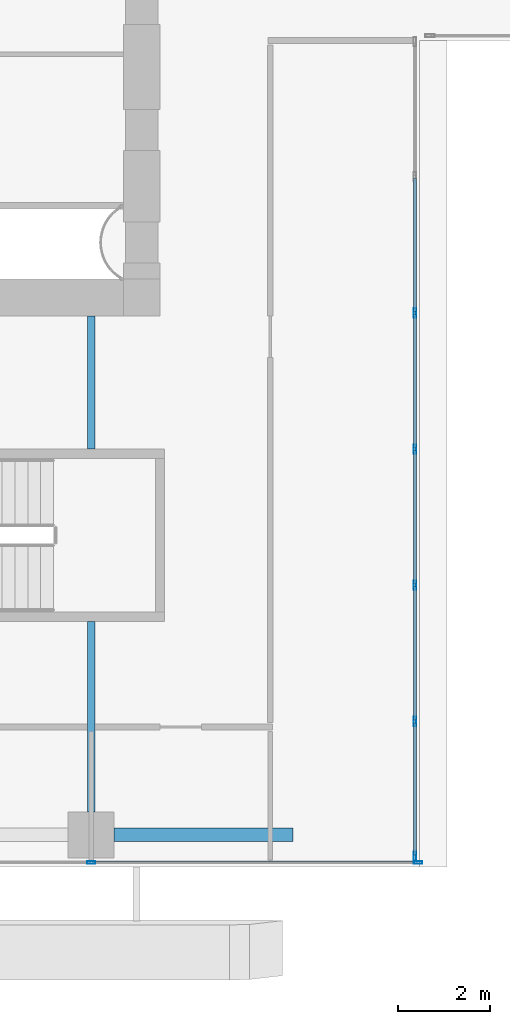
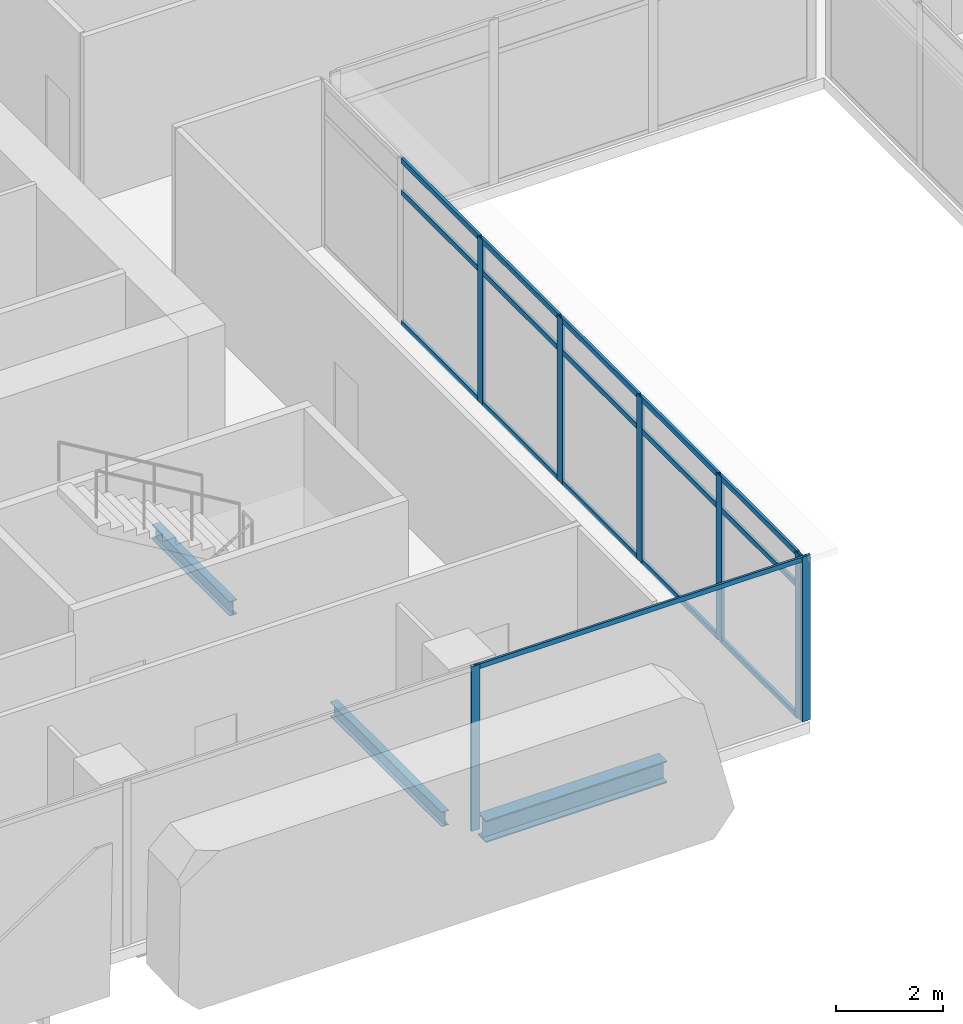
# One storey, part 5 of 38: 23 members, 3 beams, 2 elements without a shape of their own.
"""IFC4 building model written with IfcOpenShell, lengths in metres."""

from ifc_helpers import new_model, si_unit, direction, frame, origin, origin_2d, place, context, subcontext, project, spatial, hollow_rectangle, i_section, extrude, source, transform, mapped, material, material_profile, profile_set, type_object, element, aggregate, save


model = new_model("IFC4")

# Units and contexts
model_context = context("Model", 3, precision=1e-05, world=origin(), true_north=direction((0.0, 1.0)))
body_context = subcontext(model_context, "Body", "Model", "MODEL_VIEW")
ifc_project = project(units=[si_unit("LENGTHUNIT", "METRE"), si_unit("AREAUNIT", "SQUARE_METRE"), si_unit("VOLUMEUNIT", "CUBIC_METRE"), si_unit("PLANEANGLEUNIT", "RADIAN"), si_unit("MASSUNIT", "GRAM", prefix="KILO")], contexts=[model_context])

# Site, building, storey
site_placement = place(None, origin())
site = spatial("IfcSite", under=ifc_project, at=site_placement, CompositionType="ELEMENT")
building_placement = place(site_placement, origin())
building = spatial("IfcBuilding", under=site, at=building_placement, Name="Khomas Fold Tower", CompositionType="ELEMENT")
storey_placement = place(building_placement, frame((0.0, 0.0, 172.699951171875)))
storey = spatial("IfcBuildingStorey", under=building, at=storey_placement, Name="L37", CompositionType="ELEMENT", Elevation=172.699951171875)

# Beams
ifc_material_1 = material(Name="Steel S355", Category="steel")
ifc_material_profile_1 = material_profile(ifc_material_1, i_section(OverallWidth=0.300048828125, OverallDepth=0.5, WebThickness=0.014404296875, FlangeThickness=0.028076171875, at=origin_2d()), Name="HE 500 B")
ifc_profile_set_1 = profile_set([ifc_material_profile_1], Name="Steel S355")
beam_type_1 = type_object("IfcBeamType", Name="HE 500 B spandrel SB3", PredefinedType="SPANDREL", material=ifc_profile_set_1)
shared_shape_1 = source(origin(), body_context, "Body", "SweptSolid", [
    extrude(i_section(OverallWidth=0.300048828125, OverallDepth=0.5, WebThickness=0.014404296875, FlangeThickness=0.028076171875, at=origin_2d()), origin(), (0.0, 0.0, 1.0), 3.89990234375),
])
beam_1_placement = place(storey_placement, frame((20.0, 3.699951171875, -0.5), z_axis=(1.0, 0.0, 0.0), x_axis=(0.0, 1.0, 0.0)))
element("IfcBeam", 1, at=beam_1_placement, inside=storey, type_object=beam_type_1, Name="SB3", PredefinedType="SPANDREL", context=body_context, shape_type="MappedRepresentation", body=[
    mapped(shared_shape_1, transform((0.0, 0.0, 0.0))),
])
ifc_material_2 = material(Name="Steel S355", Category="steel")
ifc_material_profile_2 = material_profile(ifc_material_2, i_section(OverallWidth=0.159912109375, OverallDepth=0.330078125, WebThickness=0.007568359375, FlangeThickness=0.011474609375, at=origin_2d()), Name="IPE 330")
ifc_profile_set_2 = profile_set([ifc_material_profile_2], Name="Steel S355")
beam_type_2 = type_object("IfcBeamType", Name="IPE 330 beam JB1", PredefinedType="BEAM", material=ifc_profile_set_2)
shared_shape_2 = source(origin(), body_context, "Body", "SweptSolid", [
    extrude(i_section(OverallWidth=0.159912109375, OverallDepth=0.330078125, WebThickness=0.007568359375, FlangeThickness=0.011474609375, at=origin_2d()), origin(), (0.0, 0.0, 1.0), 4.150146484375),
])
beam_2_placement = place(storey_placement, frame((19.5, 4.199951171875, -0.4150390625), z_axis=(0.0, 1.0, 0.0), x_axis=(-1.0, 0.0, 0.0)))
element("IfcBeam", 2, at=beam_2_placement, inside=storey, type_object=beam_type_2, Name="JB1", PredefinedType="BEAM", context=body_context, shape_type="MappedRepresentation", body=[
    mapped(shared_shape_2, transform((0.0, 0.0, 0.0))),
])
shared_shape_3 = source(origin(), body_context, "Body", "SweptSolid", [
    extrude(i_section(OverallWidth=0.159912109375, OverallDepth=0.330078125, WebThickness=0.007568359375, FlangeThickness=0.011474609375, at=origin_2d()), origin(), (0.0, 0.0, 1.0), 2.89990234375),
])
beam_3_placement = place(storey_placement, frame((19.5, 12.10009765625, -0.4150390625), z_axis=(0.0, 1.0, 0.0), x_axis=(-1.0, 0.0, 0.0)))
element("IfcBeam", 3, at=beam_3_placement, inside=storey, type_object=beam_type_2, Name="JB1", PredefinedType="BEAM", context=body_context, shape_type="MappedRepresentation", body=[
    mapped(shared_shape_3, transform((0.0, 0.0, 0.0))),
])

# Curtain wall, members
ifc_material_3 = material(Name="Aluminium framed double glazing", Category="aluminium")
curtain_wall_type_1 = type_object("IfcCurtainWallType", Name="SK-Unitised clear-glass wall, office floors CW2", PredefinedType="NOTDEFINED", material=ifc_material_3)
curtain_wall_1_placement = place(storey_placement, origin())
curtain_wall_1 = element("IfcCurtainWall", 4, at=curtain_wall_1_placement, inside=storey, type_object=curtain_wall_type_1, Name="CW2 run L37 01-0", PredefinedType="NOTDEFINED")
ifc_material_4 = material(Name="Aluminium", Category="aluminium")
ifc_material_profile_3 = material_profile(ifc_material_4, hollow_rectangle(XDim=0.06005859375, YDim=0.179931640625, WallThickness=0.00390625, at=origin_2d()), Name="SK-Unitised clear-glass wall, office floors mullion CW2-M")
ifc_profile_set_3 = profile_set([ifc_material_profile_3], Name="Aluminium")
member_type_1 = type_object("IfcMemberType", Name="SK-Unitised clear-glass wall, office floors mullion CW2-M", PredefinedType="MULLION", material=ifc_profile_set_3)
shared_shape_4 = source(origin(), body_context, "Body", "SweptSolid", [
    extrude(hollow_rectangle(XDim=0.06005859375, YDim=0.179931640625, WallThickness=0.00390625, at=origin_2d()), origin(), (0.0, 0.0, 1.0), 3.75),
])
member_1_placement = place(storey_placement, frame((19.5, 3.10009765625, 0.0), z_axis=(0.0, 0.0, 1.0), x_axis=(0.0, 1.0, 0.0)))
member_1 = element("IfcMember", 5, at=member_1_placement, type_object=member_type_1, Name="CW2 mullion 4", PredefinedType="MULLION", context=body_context, shape_type="MappedRepresentation", body=[
    mapped(shared_shape_4, transform((0.0, 0.0, 0.0))),
])
member_2_placement = place(storey_placement, frame((26.6201171875, 3.10009765625, 0.0), z_axis=(0.0, 0.0, 1.0), x_axis=(0.0, 1.0, 0.0)))
member_2 = element("IfcMember", 6, at=member_2_placement, type_object=member_type_1, Name="CW2 mullion 5", PredefinedType="MULLION", context=body_context, shape_type="MappedRepresentation", body=[
    mapped(shared_shape_4, transform((0.0, 0.0, 0.0))),
])
ifc_material_5 = material(Name="Aluminium", Category="aluminium")
ifc_material_profile_4 = material_profile(ifc_material_5, hollow_rectangle(XDim=0.050048828125, YDim=0.110107421875, WallThickness=0.00390625, at=origin_2d()), Name="SK-Unitised clear-glass wall, office floors transom CW2-T")
ifc_profile_set_4 = profile_set([ifc_material_profile_4], Name="Aluminium")
member_type_2 = type_object("IfcMemberType", Name="SK-Unitised clear-glass wall, office floors transom CW2-T", PredefinedType="USERDEFINED", material=ifc_profile_set_4)
shared_shape_5 = source(origin(), body_context, "Body", "SweptSolid", [
    extrude(hollow_rectangle(XDim=0.050048828125, YDim=0.110107421875, WallThickness=0.00390625, at=origin_2d()), origin(), (0.0, 0.0, 1.0), 7.06005859375),
])
member_3_placement = place(storey_placement, frame((19.530029296875, 3.10009765625, 3.695068359375), z_axis=(1.0, 0.0, 0.0), x_axis=(0.0, 1.0, 0.0)))
member_3 = element("IfcMember", 7, at=member_3_placement, type_object=member_type_2, Name="CW2 transom 4", ObjectType="TRANSOM", PredefinedType="USERDEFINED", context=body_context, shape_type="MappedRepresentation", body=[
    mapped(shared_shape_5, transform((0.0, 0.0, 0.0))),
])
aggregate(curtain_wall_1, [member_1, member_2, member_3])

ifc_material_6 = material(Name="Aluminium framed double glazing", Category="aluminium")
curtain_wall_type_2 = type_object("IfcCurtainWallType", Name="Notch glazing GN-CW", PredefinedType="NOTDEFINED", material=ifc_material_6)
curtain_wall_2_placement = place(storey_placement, origin())
curtain_wall_2 = element("IfcCurtainWall", 8, at=curtain_wall_2_placement, inside=storey, type_object=curtain_wall_type_2, Name="Notch glazing run", PredefinedType="NOTDEFINED")
ifc_material_7 = material(Name="Aluminium", Category="aluminium")
ifc_material_profile_5 = material_profile(ifc_material_7, hollow_rectangle(XDim=0.06005859375, YDim=0.1201171875, WallThickness=0.00390625, at=origin_2d()), Name="Notch glazing transom GN-CW-T")
ifc_profile_set_5 = profile_set([ifc_material_profile_5], Name="Aluminium")
member_type_3 = type_object("IfcMemberType", Name="Notch glazing transom GN-CW-T", PredefinedType="USERDEFINED", material=ifc_profile_set_5)
shared_shape_6 = source(origin(), body_context, "Body", "SweptSolid", [
    extrude(hollow_rectangle(XDim=0.06005859375, YDim=0.1201171875, WallThickness=0.00390625, at=origin_2d()), origin(), (0.0, 0.0, 1.0), 2.876708984375),
])
member_4_placement = place(storey_placement, frame((26.550048828125, 3.260009765625, 0.030029296875), z_axis=(0.0, 1.0, 0.0), x_axis=(-1.0, 0.0, 0.0)))
member_4 = element("IfcMember", 9, at=member_4_placement, type_object=member_type_3, Name="GN-CW transom 1.1", ObjectType="TRANSOM", PredefinedType="USERDEFINED", context=body_context, shape_type="MappedRepresentation", body=[
    mapped(shared_shape_6, transform((0.0, 0.0, 0.0))),
])
member_5_placement = place(storey_placement, frame((26.550048828125, 3.260009765625, 3.0), z_axis=(0.0, 1.0, 0.0), x_axis=(-1.0, 0.0, 0.0)))
member_5 = element("IfcMember", 10, at=member_5_placement, type_object=member_type_3, Name="GN-CW transom 1.2", ObjectType="TRANSOM", PredefinedType="USERDEFINED", context=body_context, shape_type="MappedRepresentation", body=[
    mapped(shared_shape_6, transform((0.0, 0.0, 0.0))),
])
member_6_placement = place(storey_placement, frame((26.550048828125, 3.260009765625, 3.719970703125), z_axis=(0.0, 1.0, 0.0), x_axis=(-1.0, 0.0, 0.0)))
member_6 = element("IfcMember", 11, at=member_6_placement, type_object=member_type_3, Name="GN-CW transom 1.3", ObjectType="TRANSOM", PredefinedType="USERDEFINED", context=body_context, shape_type="MappedRepresentation", body=[
    mapped(shared_shape_6, transform((0.0, 0.0, 0.0))),
])
shared_shape_7 = source(origin(), body_context, "Body", "SweptSolid", [
    extrude(hollow_rectangle(XDim=0.06005859375, YDim=0.1201171875, WallThickness=0.00390625, at=origin_2d()), origin(), (0.0, 0.0, 1.0), 2.90673828125),
])
member_7_placement = place(storey_placement, frame((26.550048828125, 9.163330078125, 0.030029296875), z_axis=(0.0, 1.0, 0.0), x_axis=(-1.0, 0.0, 0.0)))
member_7 = element("IfcMember", 12, at=member_7_placement, type_object=member_type_3, Name="GN-CW transom 3.1", ObjectType="TRANSOM", PredefinedType="USERDEFINED", context=body_context, shape_type="MappedRepresentation", body=[
    mapped(shared_shape_7, transform((0.0, 0.0, 0.0))),
])
member_8_placement = place(storey_placement, frame((26.550048828125, 9.163330078125, 3.0), z_axis=(0.0, 1.0, 0.0), x_axis=(-1.0, 0.0, 0.0)))
member_8 = element("IfcMember", 13, at=member_8_placement, type_object=member_type_3, Name="GN-CW transom 3.2", ObjectType="TRANSOM", PredefinedType="USERDEFINED", context=body_context, shape_type="MappedRepresentation", body=[
    mapped(shared_shape_7, transform((0.0, 0.0, 0.0))),
])
member_9_placement = place(storey_placement, frame((26.550048828125, 9.163330078125, 3.719970703125), z_axis=(0.0, 1.0, 0.0), x_axis=(-1.0, 0.0, 0.0)))
member_9 = element("IfcMember", 14, at=member_9_placement, type_object=member_type_3, Name="GN-CW transom 3.3", ObjectType="TRANSOM", PredefinedType="USERDEFINED", context=body_context, shape_type="MappedRepresentation", body=[
    mapped(shared_shape_7, transform((0.0, 0.0, 0.0))),
])
member_10_placement = place(storey_placement, frame((26.550048828125, 12.1298828125, 0.030029296875), z_axis=(0.0, 1.0, 0.0), x_axis=(-1.0, 0.0, 0.0)))
member_10 = element("IfcMember", 15, at=member_10_placement, type_object=member_type_3, Name="GN-CW transom 4.1", ObjectType="TRANSOM", PredefinedType="USERDEFINED", context=body_context, shape_type="MappedRepresentation", body=[
    mapped(shared_shape_7, transform((0.0, 0.0, 0.0))),
])
member_11_placement = place(storey_placement, frame((26.550048828125, 12.1298828125, 3.0), z_axis=(0.0, 1.0, 0.0), x_axis=(-1.0, 0.0, 0.0)))
member_11 = element("IfcMember", 16, at=member_11_placement, type_object=member_type_3, Name="GN-CW transom 4.2", ObjectType="TRANSOM", PredefinedType="USERDEFINED", context=body_context, shape_type="MappedRepresentation", body=[
    mapped(shared_shape_7, transform((0.0, 0.0, 0.0))),
])
member_12_placement = place(storey_placement, frame((26.550048828125, 12.1298828125, 3.719970703125), z_axis=(0.0, 1.0, 0.0), x_axis=(-1.0, 0.0, 0.0)))
member_12 = element("IfcMember", 17, at=member_12_placement, type_object=member_type_3, Name="GN-CW transom 4.3", ObjectType="TRANSOM", PredefinedType="USERDEFINED", context=body_context, shape_type="MappedRepresentation", body=[
    mapped(shared_shape_7, transform((0.0, 0.0, 0.0))),
])
member_13_placement = place(storey_placement, frame((26.550048828125, 15.0966796875, 0.030029296875), z_axis=(0.0, 1.0, 0.0), x_axis=(-1.0, 0.0, 0.0)))
member_13 = element("IfcMember", 18, at=member_13_placement, type_object=member_type_3, Name="GN-CW transom 5.1", ObjectType="TRANSOM", PredefinedType="USERDEFINED", context=body_context, shape_type="MappedRepresentation", body=[
    mapped(shared_shape_7, transform((0.0, 0.0, 0.0))),
])
member_14_placement = place(storey_placement, frame((26.550048828125, 15.0966796875, 3.0), z_axis=(0.0, 1.0, 0.0), x_axis=(-1.0, 0.0, 0.0)))
member_14 = element("IfcMember", 19, at=member_14_placement, type_object=member_type_3, Name="GN-CW transom 5.2", ObjectType="TRANSOM", PredefinedType="USERDEFINED", context=body_context, shape_type="MappedRepresentation", body=[
    mapped(shared_shape_7, transform((0.0, 0.0, 0.0))),
])
member_15_placement = place(storey_placement, frame((26.550048828125, 15.0966796875, 3.719970703125), z_axis=(0.0, 1.0, 0.0), x_axis=(-1.0, 0.0, 0.0)))
member_15 = element("IfcMember", 20, at=member_15_placement, type_object=member_type_3, Name="GN-CW transom 5.3", ObjectType="TRANSOM", PredefinedType="USERDEFINED", context=body_context, shape_type="MappedRepresentation", body=[
    mapped(shared_shape_7, transform((0.0, 0.0, 0.0))),
])
shared_shape_8 = source(origin(), body_context, "Body", "SweptSolid", [
    extrude(hollow_rectangle(XDim=0.06005859375, YDim=0.1201171875, WallThickness=0.00390625, at=origin_2d()), origin(), (0.0, 0.0, 1.0), 2.906494140625),
])
member_16_placement = place(storey_placement, frame((26.550048828125, 6.19677734375, 0.030029296875), z_axis=(0.0, 1.0, 0.0), x_axis=(-1.0, 0.0, 0.0)))
member_16 = element("IfcMember", 21, at=member_16_placement, type_object=member_type_3, Name="GN-CW transom 2.1", ObjectType="TRANSOM", PredefinedType="USERDEFINED", context=body_context, shape_type="MappedRepresentation", body=[
    mapped(shared_shape_8, transform((0.0, 0.0, 0.0))),
])
member_17_placement = place(storey_placement, frame((26.550048828125, 6.19677734375, 3.0), z_axis=(0.0, 1.0, 0.0), x_axis=(-1.0, 0.0, 0.0)))
member_17 = element("IfcMember", 22, at=member_17_placement, type_object=member_type_3, Name="GN-CW transom 2.2", ObjectType="TRANSOM", PredefinedType="USERDEFINED", context=body_context, shape_type="MappedRepresentation", body=[
    mapped(shared_shape_8, transform((0.0, 0.0, 0.0))),
])
member_18_placement = place(storey_placement, frame((26.550048828125, 6.19677734375, 3.719970703125), z_axis=(0.0, 1.0, 0.0), x_axis=(-1.0, 0.0, 0.0)))
member_18 = element("IfcMember", 23, at=member_18_placement, type_object=member_type_3, Name="GN-CW transom 2.3", ObjectType="TRANSOM", PredefinedType="USERDEFINED", context=body_context, shape_type="MappedRepresentation", body=[
    mapped(shared_shape_8, transform((0.0, 0.0, 0.0))),
])
ifc_material_8 = material(Name="Aluminium", Category="aluminium")
ifc_material_profile_6 = material_profile(ifc_material_8, hollow_rectangle(XDim=0.06005859375, YDim=0.199951171875, WallThickness=0.00390625, at=origin_2d()), Name="Notch glazing mullion GN-CW-M")
ifc_profile_set_6 = profile_set([ifc_material_profile_6], Name="Aluminium")
member_type_4 = type_object("IfcMemberType", Name="Notch glazing mullion GN-CW-M", PredefinedType="MULLION", material=ifc_profile_set_6)
shared_shape_9 = source(origin(), body_context, "Body", "SweptSolid", [
    extrude(hollow_rectangle(XDim=0.06005859375, YDim=0.199951171875, WallThickness=0.00390625, at=origin_2d()), origin(), (0.0, 0.0, 1.0), 3.75),
])
member_19_placement = place(storey_placement, frame((26.550048828125, 3.22998046875, 0.0), z_axis=(0.0, 0.0, 1.0), x_axis=(-1.0, 0.0, 0.0)))
member_19 = element("IfcMember", 24, at=member_19_placement, type_object=member_type_4, Name="GN-CW mullion 1", PredefinedType="MULLION", context=body_context, shape_type="MappedRepresentation", body=[
    mapped(shared_shape_9, transform((0.0, 0.0, 0.0))),
])
member_20_placement = place(storey_placement, frame((26.550048828125, 6.166748046875, 0.0), z_axis=(0.0, 0.0, 1.0), x_axis=(-1.0, 0.0, 0.0)))
member_20 = element("IfcMember", 25, at=member_20_placement, type_object=member_type_4, Name="GN-CW mullion 2", PredefinedType="MULLION", context=body_context, shape_type="MappedRepresentation", body=[
    mapped(shared_shape_9, transform((0.0, 0.0, 0.0))),
])
member_21_placement = place(storey_placement, frame((26.550048828125, 9.13330078125, 0.0), z_axis=(0.0, 0.0, 1.0), x_axis=(-1.0, 0.0, 0.0)))
member_21 = element("IfcMember", 26, at=member_21_placement, type_object=member_type_4, Name="GN-CW mullion 3", PredefinedType="MULLION", context=body_context, shape_type="MappedRepresentation", body=[
    mapped(shared_shape_9, transform((0.0, 0.0, 0.0))),
])
member_22_placement = place(storey_placement, frame((26.550048828125, 12.10009765625, 0.0), z_axis=(0.0, 0.0, 1.0), x_axis=(-1.0, 0.0, 0.0)))
member_22 = element("IfcMember", 27, at=member_22_placement, type_object=member_type_4, Name="GN-CW mullion 4", PredefinedType="MULLION", context=body_context, shape_type="MappedRepresentation", body=[
    mapped(shared_shape_9, transform((0.0, 0.0, 0.0))),
])
member_23_placement = place(storey_placement, frame((26.550048828125, 15.066650390625, 0.0), z_axis=(0.0, 0.0, 1.0), x_axis=(-1.0, 0.0, 0.0)))
member_23 = element("IfcMember", 28, at=member_23_placement, type_object=member_type_4, Name="GN-CW mullion 5", PredefinedType="MULLION", context=body_context, shape_type="MappedRepresentation", body=[
    mapped(shared_shape_9, transform((0.0, 0.0, 0.0))),
])
aggregate(curtain_wall_2, [member_19, member_20, member_21, member_22, member_23, member_4, member_5, member_6, member_16, member_17, member_18, member_7, member_8, member_9, member_10, member_11, member_12, member_13, member_14, member_15])

save(model, "model.ifc")
